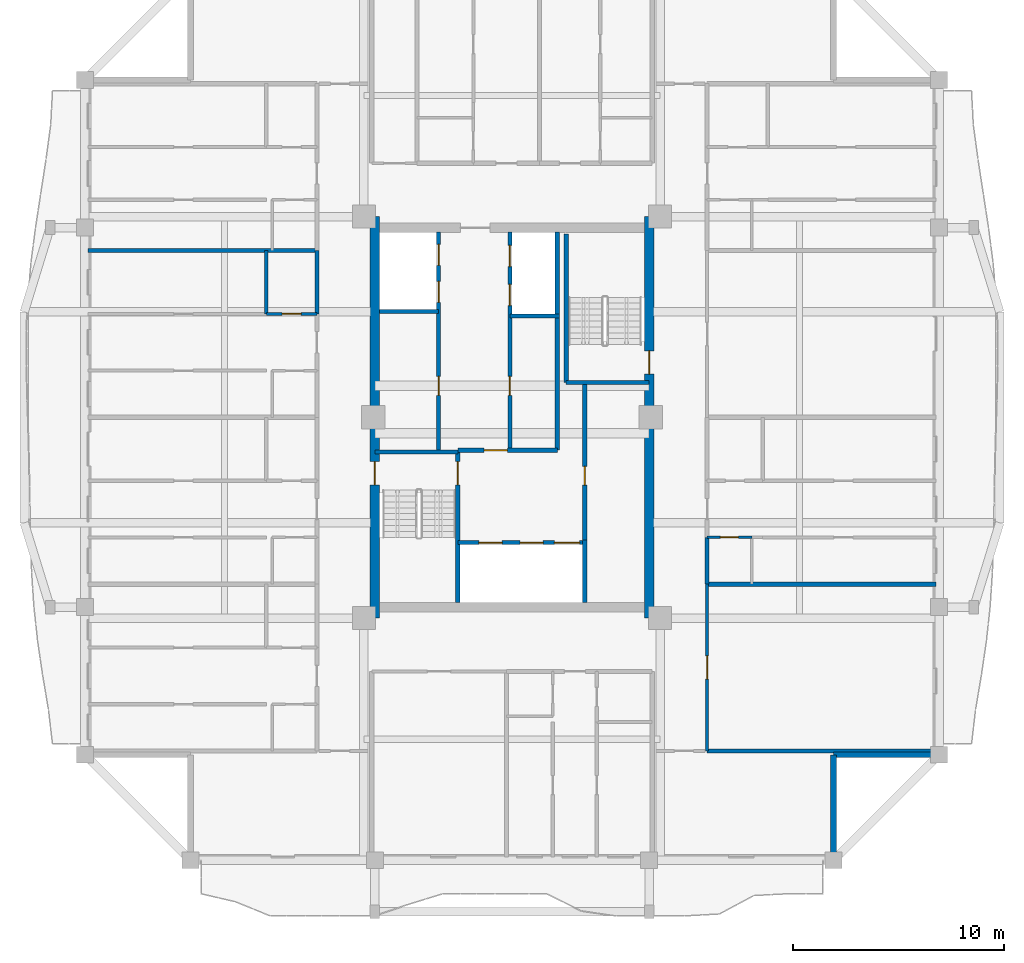
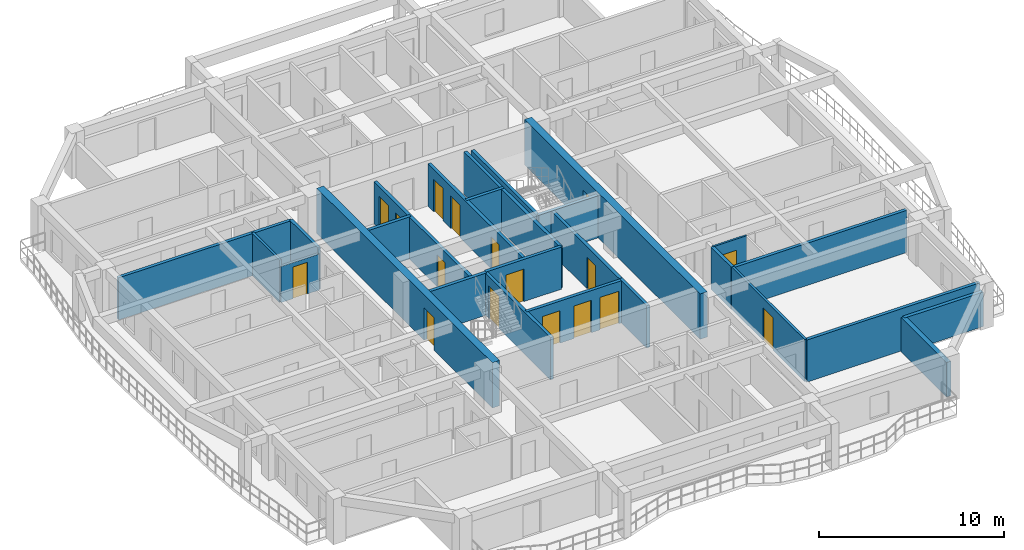
# One storey, part 4 of 13: 27 walls, 17 doors, 17 openings.
"""IFC4 building model written with IfcOpenShell, lengths in metres."""

from ifc_helpers import new_model, si_unit, direction, frame, frame_2d, origin, place, context, subcontext, project, spatial, rectangle, extrude, source, transform, mapped, material, layer, layer_set, type_object, element, fill, save


model = new_model("IFC4")

# Units and contexts
model_context = context("Model", 3, precision=1e-05, world=origin(), true_north=direction((0.0, 1.0)))
body_context = subcontext(model_context, "Body", "Model", "MODEL_VIEW")
ifc_project = project(units=[si_unit("LENGTHUNIT", "METRE"), si_unit("AREAUNIT", "SQUARE_METRE"), si_unit("VOLUMEUNIT", "CUBIC_METRE"), si_unit("PLANEANGLEUNIT", "RADIAN"), si_unit("MASSUNIT", "GRAM", prefix="KILO")], contexts=[model_context])

# Site, building, storey
site_placement = place(None, origin())
site = spatial("IfcSite", under=ifc_project, at=site_placement, CompositionType="ELEMENT")
building_placement = place(site_placement, origin())
building = spatial("IfcBuilding", under=site, at=building_placement, Name="Saelheon Loggia Tower", CompositionType="ELEMENT")
storey_placement = place(building_placement, frame((0.0, 0.0, 189.699951171875)))
storey = spatial("IfcBuildingStorey", under=building, at=storey_placement, Name="L59", CompositionType="ELEMENT", Elevation=189.699951171875)

# Wall, opening, door
ifc_material_1 = material(Name="Concrete C45/55", Category="concrete")
ifc_layer_1 = layer(ifc_material_1, 0.449951171875)
ifc_layer_set_1 = layer_set([ifc_layer_1], Name="Concrete C45/55")
wall_type_1 = type_object("IfcWallType", Name="Wall_CoreShear_450", PredefinedType="SHEAR", material=ifc_layer_set_1)
wall_1_placement = place(storey_placement, frame((31.5, 17.47998046875, 0.0), z_axis=(0.0, 0.0, 1.0), x_axis=(0.0, 1.0, 0.0)))
wall_1 = element("IfcWall", 1, at=wall_1_placement, inside=storey, type_object=wall_type_1, Name="L59 Core Shear Wall West", PredefinedType="SHEAR", context=body_context, shape_type="SweptSolid", body=[
    extrude(rectangle(XDim=19.0400390625, YDim=0.449951171875, at=frame_2d((9.52001953125, 0.0))), origin(), (0.0, 0.0, 1.0), 3.0),
])
opening_1_placement = place(wall_1_placement, frame((6.320068359375, 0.0, 0.0)))
opening_1 = element("IfcOpeningElement", 2, at=opening_1_placement, cuts=wall_1, Name="Opening D-FD2", PredefinedType="OPENING", context=body_context, shape_type="SweptSolid", body=[
    extrude(rectangle(XDim=1.10009765625, YDim=2.14990234375, at=frame_2d((0.550048828125, 1.074951171875))), frame((0.0, 0.237060546875, 0.0), z_axis=(0.0, -1.0, 0.0), x_axis=(1.0, 0.0, 0.0)), (0.0, 0.0, 1.0), 0.473876953125),
])
ifc_material_2 = material(Name="Galvanised Steel Fire Door", Category="steel")
door_type_1 = type_object("IfcDoorType", Name="Door_Fire_FD60_1100", OperationType="NOTDEFINED", PredefinedType="DOOR", material=ifc_material_2)
shared_shape_1 = source(origin(), body_context, "Body", "SweptSolid", [
    extrude(rectangle(XDim=1.10009765625, YDim=2.14990234375, at=frame_2d((0.550048828125, 1.074951171875))), frame((0.0, 0.02490234375, 0.0), z_axis=(0.0, -1.0, 0.0), x_axis=(1.0, 0.0, 0.0)), (0.0, 0.0, 1.0), 0.050048828125),
])
door_1_placement = place(opening_1_placement, origin())
door_1 = element("IfcDoor", 3, at=door_1_placement, inside=storey, type_object=door_type_1, Name="L59 Stair ST1 Corridor Door", OperationType="SINGLE_SWING_LEFT", OverallHeight=2.14990234375, OverallWidth=1.10009765625, PredefinedType="DOOR", context=body_context, shape_type="MappedRepresentation", body=[
    mapped(shared_shape_1, transform((0.0, 0.0, 0.0), scale=1.0)),
])
fill(opening_1, door_1)

wall_2_placement = place(storey_placement, frame((44.5, 17.47998046875, 0.0), z_axis=(0.0, 0.0, 1.0), x_axis=(0.0, 1.0, 0.0)))
wall_2 = element("IfcWall", 4, at=wall_2_placement, inside=storey, type_object=wall_type_1, Name="L59 Core Shear Wall East", PredefinedType="SHEAR", context=body_context, shape_type="SweptSolid", body=[
    extrude(rectangle(XDim=19.0400390625, YDim=0.449951171875, at=frame_2d((9.52001953125, 0.0))), origin(), (0.0, 0.0, 1.0), 3.0),
])
opening_2_placement = place(wall_2_placement, frame((12.670166015625, 0.0, 0.0), z_axis=(0.0, 0.0, 1.0), x_axis=(-1.0, 0.0, 0.0)))
opening_2 = element("IfcOpeningElement", 5, at=opening_2_placement, cuts=wall_2, Name="Opening D-FD2", PredefinedType="OPENING", context=body_context, shape_type="SweptSolid", body=[
    extrude(rectangle(XDim=1.10009765625, YDim=2.14990234375, at=frame_2d((0.550048828125, 1.074951171875))), frame((0.0, 0.237060546875, 0.0), z_axis=(0.0, -1.0, 0.0), x_axis=(1.0, 0.0, 0.0)), (0.0, 0.0, 1.0), 0.473876953125),
])
door_2_placement = place(opening_2_placement, origin())
door_2 = element("IfcDoor", 6, at=door_2_placement, inside=storey, type_object=door_type_1, Name="L59 Stair ST2 Corridor Door", OperationType="SINGLE_SWING_RIGHT", OverallHeight=2.14990234375, OverallWidth=1.10009765625, PredefinedType="DOOR", context=body_context, shape_type="MappedRepresentation", body=[
    mapped(shared_shape_1, transform((0.0, 0.0, 0.0), scale=1.0)),
])
fill(opening_2, door_2)

# Walls
ifc_material_3 = material(Name="Architectural Precast Concrete C40/50", Category="concrete")
ifc_layer_2 = layer(ifc_material_3, 0.280029296875)
ifc_layer_set_2 = layer_set([ifc_layer_2], Name="Architectural Precast Concrete C40/50")
wall_type_2 = type_object("IfcWallType", Name="Wall_Ext_Loggia_280", PredefinedType="SOLIDWALL", material=ifc_layer_set_2)
for number, where, z_axis, x_axis, name in (
    (7, (53.25, 6.080078125, 0.0), (0.0, 0.0, 1.0), (0.0, 1.0, 0.0), "L59 Corner Notch Precast Wall SE1"),
    (8, (53.25, 11.0, 0.0), (0.0, 0.0, 1.0), (1.0, 0.0, 0.0), "L59 Corner Notch Precast Wall SE2"),
):
    element("IfcWall", number, at=place(storey_placement, frame(where, z_axis=z_axis, x_axis=x_axis)), inside=storey, type_object=wall_type_2, Name=name, PredefinedType="SOLIDWALL", context=body_context, shape_type="SweptSolid", body=[
        extrude(rectangle(XDim=4.919921875, YDim=0.280029296875, at=frame_2d((2.4599609375, 0.0))), origin(), (0.0, 0.0, 1.0), 2.280029296875),
    ])
ifc_material_4 = material(Name="Lightweight Autoclaved Aerated Concrete Block and Acoustic Gypsum", Category="concrete")
ifc_layer_3 = layer(ifc_material_4, 0.14990234375)
ifc_layer_set_3 = layer_set([ifc_layer_3], Name="Lightweight Autoclaved Aerated Concrete Block and Acoustic Gypsum")
wall_type_3 = type_object("IfcWallType", Name="Wall_Part_150", PredefinedType="PARTITIONING", material=ifc_layer_set_3)
wall_3_placement = place(storey_placement, frame((26.35009765625, 31.904296875, 0.0), z_axis=(0.0, 0.0, 1.0), x_axis=(0.0, 1.0, 0.0)))
element("IfcWall", 9, at=wall_3_placement, inside=storey, type_object=wall_type_3, Name="L59 W Partition V27", PredefinedType="PARTITIONING", context=body_context, shape_type="SweptSolid", body=[
    extrude(rectangle(XDim=3.005615234375, YDim=0.14990234375, at=frame_2d((1.5029296875, 0.0))), origin(), (0.0, 0.0, 1.0), 2.7900390625),
])

# Wall, opening, door
wall_4_placement = place(storey_placement, frame((28.75, 31.904296875, 0.0), z_axis=(0.0, 0.0, 1.0), x_axis=(-1.0, 0.0, 0.0)))
wall_4 = element("IfcWall", 10, at=wall_4_placement, inside=storey, type_object=wall_type_3, Name="L59 W Partition U30", PredefinedType="PARTITIONING", context=body_context, shape_type="SweptSolid", body=[
    extrude(rectangle(XDim=2.39990234375, YDim=0.14990234375, at=frame_2d((1.199951171875, 0.0))), origin(), (0.0, 0.0, 1.0), 2.39013671875),
])
opening_3_placement = place(wall_4_placement, frame((0.75, 0.0, 0.0)))
opening_3 = element("IfcOpeningElement", 11, at=opening_3_placement, cuts=wall_4, Name="Opening D-IN2", PredefinedType="OPENING", context=body_context, shape_type="SweptSolid", body=[
    extrude(rectangle(XDim=0.89990234375, YDim=2.10009765625, at=frame_2d((0.449951171875, 1.050048828125))), frame((0.0, 0.0869140625, 0.0), z_axis=(0.0, -1.0, 0.0), x_axis=(1.0, 0.0, 0.0)), (0.0, 0.0, 1.0), 0.173828125),
])
ifc_material_5 = material(Name="Engineered Oak Flush Door", Category="timber")
door_type_2 = type_object("IfcDoorType", Name="Door_Int_900", OperationType="NOTDEFINED", PredefinedType="DOOR", material=ifc_material_5)
shared_shape_2 = source(origin(), body_context, "Body", "SweptSolid", [
    extrude(rectangle(XDim=0.89990234375, YDim=2.10009765625, at=frame_2d((0.449951171875, 1.050048828125))), frame((0.0, 0.02490234375, 0.0), z_axis=(0.0, -1.0, 0.0), x_axis=(1.0, 0.0, 0.0)), (0.0, 0.0, 1.0), 0.050048828125),
])
door_3_placement = place(opening_3_placement, origin())
door_3 = element("IfcDoor", 12, at=door_3_placement, inside=storey, type_object=door_type_2, Name="Unit U06 Dressing Closet Door", OperationType="SINGLE_SWING_LEFT", OverallHeight=2.10009765625, OverallWidth=0.89990234375, PredefinedType="DOOR", context=body_context, shape_type="MappedRepresentation", body=[
    mapped(shared_shape_2, transform((0.0, 0.0, 0.0), scale=1.0)),
])
fill(opening_3, door_3)

wall_5_placement = place(storey_placement, frame((47.25, 11.179931640625, 0.0), z_axis=(0.0, 0.0, 1.0), x_axis=(0.0, 1.0, 0.0)))
wall_5 = element("IfcWall", 13, at=wall_5_placement, inside=storey, type_object=wall_type_3, Name="L59 E Partition V03", PredefinedType="PARTITIONING", context=body_context, shape_type="SweptSolid", body=[
    extrude(rectangle(XDim=7.91015625, YDim=0.14990234375, at=frame_2d((3.955078125, 0.0))), origin(), (0.0, 0.0, 1.0), 2.7900390625),
])
opening_4_placement = place(wall_5_placement, frame((3.405029296875, 0.0, 0.0)))
opening_4 = element("IfcOpeningElement", 14, at=opening_4_placement, cuts=wall_5, Name="Opening D-FD2", PredefinedType="OPENING", context=body_context, shape_type="SweptSolid", body=[
    extrude(rectangle(XDim=1.10009765625, YDim=2.14990234375, at=frame_2d((0.550048828125, 1.074951171875))), frame((0.0, 0.0869140625, 0.0), z_axis=(0.0, -1.0, 0.0), x_axis=(1.0, 0.0, 0.0)), (0.0, 0.0, 1.0), 0.173828125),
])
door_4_placement = place(opening_4_placement, origin())
door_4 = element("IfcDoor", 15, at=door_4_placement, inside=storey, type_object=door_type_1, Name="L59 Community Reading Library Door A", OperationType="SINGLE_SWING_RIGHT", OverallHeight=2.14990234375, OverallWidth=1.10009765625, PredefinedType="DOOR", context=body_context, shape_type="MappedRepresentation", body=[
    mapped(shared_shape_1, transform((0.0, 0.0, 0.0), scale=1.0)),
])
fill(opening_4, door_4)

# Walls
ifc_material_6 = material(Name="Double Acoustic Stud and Fireboard Partition", Category="gypsum")
ifc_layer_4 = layer(ifc_material_6, 0.199951171875)
ifc_layer_set_4 = layer_set([ifc_layer_4], Name="Double Acoustic Stud and Fireboard Partition")
wall_type_4 = type_object("IfcWallType", Name="Wall_Party_200", PredefinedType="PARTITIONING", material=ifc_layer_set_4)
wall_6_placement = place(storey_placement, frame((28.75, 31.904296875, 0.0), z_axis=(0.0, 0.0, 1.0), x_axis=(0.0, 1.0, 0.0)))
element("IfcWall", 16, at=wall_6_placement, inside=storey, type_object=wall_type_4, Name="L59 W Partition V25", PredefinedType="PARTITIONING", context=body_context, shape_type="SweptSolid", body=[
    extrude(rectangle(XDim=3.005615234375, YDim=0.199951171875, at=frame_2d((1.5029296875, 0.0))), origin(), (0.0, 0.0, 1.0), 2.7900390625),
])
for number, where, z_axis, x_axis, name in (
    (17, (28.75, 34.909912109375, 0.0), (0.0, 0.0, 1.0), (-1.0, 0.0, 0.0), "L59 W Partition U32"),
    (18, (47.25, 11.179931640625, 0.0), (0.0, 0.0, 1.0), (1.0, 0.0, 0.0), "L59 E Partition U01"),
    (19, (47.25, 19.090087890625, 0.0), (0.0, 0.0, 1.0), (1.0, 0.0, 0.0), "L59 E Partition U04"),
):
    element("IfcWall", number, at=place(storey_placement, frame(where, z_axis=z_axis, x_axis=x_axis)), inside=storey, type_object=wall_type_4, Name=name, PredefinedType="PARTITIONING", context=body_context, shape_type="SweptSolid", body=[
        extrude(rectangle(XDim=10.85009765625, YDim=0.199951171875, at=frame_2d((5.425048828125, 0.0))), origin(), (0.0, 0.0, 1.0), 2.7900390625),
    ])
wall_7_placement = place(storey_placement, frame((47.25, 19.090087890625, 0.0), z_axis=(0.0, 0.0, 1.0), x_axis=(0.0, 1.0, 0.0)))
element("IfcWall", 20, at=wall_7_placement, inside=storey, type_object=wall_type_4, Name="L59 E Partition V05", PredefinedType="PARTITIONING", context=body_context, shape_type="SweptSolid", body=[
    extrude(rectangle(XDim=2.214599609375, YDim=0.199951171875, at=frame_2d((1.107421875, 0.0))), origin(), (0.0, 0.0, 1.0), 2.7900390625),
])
ifc_material_7 = material(Name="Concrete C40/50", Category="concrete")
ifc_layer_5 = layer(ifc_material_7, 0.199951171875)
ifc_layer_set_5 = layer_set([ifc_layer_5], Name="Concrete C40/50")
wall_type_5 = type_object("IfcWallType", Name="Wall_Shaft_200", PredefinedType="PARTITIONING", material=ifc_layer_set_5)
wall_8_placement = place(storey_placement, frame((41.449951171875, 18.219970703125, 0.0), z_axis=(0.0, 0.0, 1.0), x_axis=(0.0, 1.0, 0.0)))
element("IfcWall", 21, at=wall_8_placement, inside=storey, type_object=wall_type_5, Name="CW-INT-L59-BOH-W0", PredefinedType="PARTITIONING", context=body_context, shape_type="SweptSolid", body=[
    extrude(rectangle(XDim=2.9599609375, YDim=0.199951171875, at=frame_2d((1.47998046875, 0.0))), origin(), (0.0, 0.0, 1.0), 2.7900390625),
])

# Wall, opening, door
wall_9_placement = place(storey_placement, frame((41.449951171875, 21.179931640625, 0.0), z_axis=(0.0, 0.0, 1.0), x_axis=(0.0, 1.0, 0.0)))
wall_9 = element("IfcWall", 22, at=wall_9_placement, inside=storey, type_object=wall_type_5, Name="CW-INT-L59-BOH-W1", PredefinedType="PARTITIONING", context=body_context, shape_type="SweptSolid", body=[
    extrude(rectangle(XDim=7.420166015625, YDim=0.199951171875, at=frame_2d((3.7099609375, 0.0))), origin(), (0.0, 0.0, 1.0), 2.7900390625),
])
opening_5_placement = place(wall_9_placement, frame((2.60009765625, 0.0, 0.0)))
opening_5 = element("IfcOpeningElement", 23, at=opening_5_placement, cuts=wall_9, Name="Opening D-RS1", PredefinedType="OPENING", context=body_context, shape_type="SweptSolid", body=[
    extrude(rectangle(XDim=0.89990234375, YDim=2.10009765625, at=frame_2d((0.449951171875, 1.050048828125))), frame((0.0, 0.112060546875, 0.0), z_axis=(0.0, -1.0, 0.0), x_axis=(1.0, 0.0, 0.0)), (0.0, 0.0, 1.0), 0.223876953125),
])
ifc_material_8 = material(Name="Galvanised Steel Riser Access Door", Category="steel")
door_type_3 = type_object("IfcDoorType", Name="Door_Riser_FD60", OperationType="NOTDEFINED", PredefinedType="DOOR", material=ifc_material_8)
door_5_placement = place(opening_5_placement, origin())
door_5 = element("IfcDoor", 24, at=door_5_placement, inside=storey, type_object=door_type_3, Name="L59 Core Service Store Door", OperationType="SINGLE_SWING_RIGHT", OverallHeight=2.10009765625, OverallWidth=0.89990234375, PredefinedType="DOOR", context=body_context, shape_type="MappedRepresentation", body=[
    mapped(shared_shape_2, transform((0.0, 0.0, 0.0), scale=1.0)),
])
fill(opening_5, door_5)

# Walls
wall_10_placement = place(storey_placement, frame((40.14990234375, 25.43994140625, 0.0), z_axis=(0.0, 0.0, 1.0), x_axis=(0.0, 1.0, 0.0)))
element("IfcWall", 25, at=wall_10_placement, inside=storey, type_object=wall_type_5, Name="L59 Core Service Passage West Wall", PredefinedType="PARTITIONING", context=body_context, shape_type="SweptSolid", body=[
    extrude(rectangle(XDim=6.360107421875, YDim=0.199951171875, at=frame_2d((3.18017578125, 0.0))), origin(), (0.0, 0.0, 1.0), 2.7900390625),
])
wall_11_placement = place(storey_placement, frame((40.14990234375, 31.800048828125, 0.0), z_axis=(0.0, 0.0, 1.0), x_axis=(0.0, 1.0, 0.0)))
element("IfcWall", 26, at=wall_11_placement, inside=storey, type_object=wall_type_5, Name="L59 East High-Rise Hoistway East Wall", PredefinedType="PARTITIONING", context=body_context, shape_type="SweptSolid", body=[
    extrude(rectangle(XDim=3.97998046875, YDim=0.199951171875, at=frame_2d((1.989990234375, 0.0))), origin(), (0.0, 0.0, 1.0), 2.7900390625),
])

# Wall, openings, doors
wall_12_placement = place(storey_placement, frame((35.429931640625, 21.06005859375, 0.0), z_axis=(0.0, 0.0, 1.0), x_axis=(1.0, 0.0, 0.0)))
wall_12 = element("IfcWall", 27, at=wall_12_placement, inside=storey, type_object=wall_type_5, Name="L59 Firefighting Lift Shaft Front Wall", PredefinedType="PARTITIONING", context=body_context, shape_type="SweptSolid", body=[
    extrude(rectangle(XDim=6.02001953125, YDim=0.199951171875, at=frame_2d((3.010009765625, 0.0))), origin(), (0.0, 0.0, 1.0), 2.7900390625),
])
opening_6_placement = place(wall_12_placement, frame((1.0, 0.0, 0.0)))
opening_6 = element("IfcOpeningElement", 28, at=opening_6_placement, cuts=wall_12, Name="Opening LD2", PredefinedType="OPENING", context=body_context, shape_type="SweptSolid", body=[
    extrude(rectangle(XDim=1.10009765625, YDim=2.14990234375, at=frame_2d((0.550048828125, 1.074951171875))), frame((0.0, 0.112060546875, 0.0), z_axis=(0.0, -1.0, 0.0), x_axis=(1.0, 0.0, 0.0)), (0.0, 0.0, 1.0), 0.223876953125),
])
opening_7_placement = place(wall_12_placement, frame((2.949951171875, 0.0, 0.0)))
opening_7 = element("IfcOpeningElement", 29, at=opening_7_placement, cuts=wall_12, Name="Opening LD2", PredefinedType="OPENING", context=body_context, shape_type="SweptSolid", body=[
    extrude(rectangle(XDim=1.10009765625, YDim=2.14990234375, at=frame_2d((0.550048828125, 1.074951171875))), frame((0.0, 0.112060546875, 0.0), z_axis=(0.0, -1.0, 0.0), x_axis=(1.0, 0.0, 0.0)), (0.0, 0.0, 1.0), 0.223876953125),
])
opening_8_placement = place(wall_12_placement, frame((4.580078125, 0.0, 0.0)))
opening_8 = element("IfcOpeningElement", 30, at=opening_8_placement, cuts=wall_12, Name="Opening LD3", PredefinedType="OPENING", context=body_context, shape_type="SweptSolid", body=[
    extrude(rectangle(XDim=1.199951171875, YDim=2.14990234375, at=frame_2d((0.60009765625, 1.074951171875))), frame((0.0, 0.112060546875, 0.0), z_axis=(0.0, -1.0, 0.0), x_axis=(1.0, 0.0, 0.0)), (0.0, 0.0, 1.0), 0.223876953125),
])
ifc_material_9 = material(Name="Firefighting Stainless Steel 316 Landing Door", Category="steel")
door_type_4 = type_object("IfcDoorType", Name="Door_Lift_LD2", OperationType="DOUBLE_DOOR_SLIDING", PredefinedType="DOOR", material=ifc_material_9)
door_6_placement = place(opening_6_placement, origin())
door_6 = element("IfcDoor", 31, at=door_6_placement, inside=storey, type_object=door_type_4, Name="L59 FF1 Landing Door", OperationType="DOUBLE_DOOR_SLIDING", OverallHeight=2.14990234375, OverallWidth=1.10009765625, PredefinedType="DOOR", context=body_context, shape_type="MappedRepresentation", body=[
    mapped(shared_shape_1, transform((0.0, 0.0, 0.0), scale=1.0)),
])
fill(opening_6, door_6)
door_7_placement = place(opening_7_placement, origin())
door_7 = element("IfcDoor", 32, at=door_7_placement, inside=storey, type_object=door_type_4, Name="L59 FF2 Landing Door", OperationType="DOUBLE_DOOR_SLIDING", OverallHeight=2.14990234375, OverallWidth=1.10009765625, PredefinedType="DOOR", context=body_context, shape_type="MappedRepresentation", body=[
    mapped(shared_shape_1, transform((0.0, 0.0, 0.0), scale=1.0)),
])
fill(opening_7, door_7)
ifc_material_10 = material(Name="Stretcher Lift Stainless Steel 304 Landing Door", Category="steel")
door_type_5 = type_object("IfcDoorType", Name="Door_Lift_LD3", OperationType="DOUBLE_DOOR_SLIDING", PredefinedType="DOOR", material=ifc_material_10)
shared_shape_3 = source(origin(), body_context, "Body", "SweptSolid", [
    extrude(rectangle(XDim=1.199951171875, YDim=2.14990234375, at=frame_2d((0.60009765625, 1.074951171875))), frame((0.0, 0.02490234375, 0.0), z_axis=(0.0, -1.0, 0.0), x_axis=(1.0, 0.0, 0.0)), (0.0, 0.0, 1.0), 0.050048828125),
])
door_8_placement = place(opening_8_placement, origin())
door_8 = element("IfcDoor", 33, at=door_8_placement, inside=storey, type_object=door_type_5, Name="L59 SV1 Landing Door", OperationType="DOUBLE_DOOR_SLIDING", OverallHeight=2.14990234375, OverallWidth=1.199951171875, PredefinedType="DOOR", context=body_context, shape_type="MappedRepresentation", body=[
    mapped(shared_shape_3, transform((0.0, 0.0, 0.0), scale=1.0)),
])
fill(opening_8, door_8)

# Wall, opening, door
wall_13_placement = place(storey_placement, frame((35.429931640625, 25.43994140625, 0.0), z_axis=(0.0, 0.0, 1.0), x_axis=(1.0, 0.0, 0.0)))
wall_13 = element("IfcWall", 34, at=wall_13_placement, inside=storey, type_object=wall_type_5, Name="L59 Firefighting Lobby Compartment Wall", PredefinedType="PARTITIONING", context=body_context, shape_type="SweptSolid", body=[
    extrude(rectangle(XDim=4.719970703125, YDim=0.199951171875, at=frame_2d((2.35986328125, 0.0))), origin(), (0.0, 0.0, 1.0), 2.7900390625),
])
opening_9_placement = place(wall_13_placement, frame((1.25, 0.0, 0.0)))
opening_9 = element("IfcOpeningElement", 35, at=opening_9_placement, cuts=wall_13, Name="Opening D-FD2", PredefinedType="OPENING", context=body_context, shape_type="SweptSolid", body=[
    extrude(rectangle(XDim=1.10009765625, YDim=2.14990234375, at=frame_2d((0.550048828125, 1.074951171875))), frame((0.0, 0.112060546875, 0.0), z_axis=(0.0, -1.0, 0.0), x_axis=(1.0, 0.0, 0.0)), (0.0, 0.0, 1.0), 0.223876953125),
])
door_9_placement = place(opening_9_placement, origin())
door_9 = element("IfcDoor", 36, at=door_9_placement, inside=storey, type_object=door_type_1, Name="L59 Firefighting Lobby Door", OperationType="SINGLE_SWING_LEFT", OverallHeight=2.14990234375, OverallWidth=1.10009765625, PredefinedType="DOOR", context=body_context, shape_type="MappedRepresentation", body=[
    mapped(shared_shape_1, transform((0.0, 0.0, 0.0), scale=1.0)),
])
fill(opening_9, door_9)

# Wall, openings, doors
wall_14_placement = place(storey_placement, frame((34.52001953125, 25.43994140625, 0.0), z_axis=(0.0, 0.0, 1.0), x_axis=(0.0, 1.0, 0.0)))
wall_14 = element("IfcWall", 37, at=wall_14_placement, inside=storey, type_object=wall_type_5, Name="L59 West Passenger Lift Bank Wall", PredefinedType="PARTITIONING", context=body_context, shape_type="SweptSolid", body=[
    extrude(rectangle(XDim=10.340087890625, YDim=0.199951171875, at=frame_2d((5.169921875, 0.0))), origin(), (0.0, 0.0, 1.0), 2.7900390625),
])
opening_10_placement = place(wall_14_placement, frame((2.60009765625, 0.0, 0.0)))
opening_10 = element("IfcOpeningElement", 38, at=opening_10_placement, cuts=wall_14, Name="Opening D-RS1", PredefinedType="OPENING", context=body_context, shape_type="SweptSolid", body=[
    extrude(rectangle(XDim=0.89990234375, YDim=2.10009765625, at=frame_2d((0.449951171875, 1.050048828125))), frame((0.0, 0.112060546875, 0.0), z_axis=(0.0, -1.0, 0.0), x_axis=(1.0, 0.0, 0.0)), (0.0, 0.0, 1.0), 0.223876953125),
])
opening_11_placement = place(wall_14_placement, frame((7.010009765625, 0.0, 0.0)))
opening_11 = element("IfcOpeningElement", 39, at=opening_11_placement, cuts=wall_14, Name="Opening LD1", PredefinedType="OPENING", context=body_context, shape_type="SweptSolid", body=[
    extrude(rectangle(XDim=1.0, YDim=2.14990234375, at=frame_2d((0.5, 1.074951171875))), frame((0.0, 0.112060546875, 0.0), z_axis=(0.0, -1.0, 0.0), x_axis=(1.0, 0.0, 0.0)), (0.0, 0.0, 1.0), 0.223876953125),
])
opening_12_placement = place(wall_14_placement, frame((8.760009765625, 0.0, 0.0)))
opening_12 = element("IfcOpeningElement", 40, at=opening_12_placement, cuts=wall_14, Name="Opening LD1", PredefinedType="OPENING", context=body_context, shape_type="SweptSolid", body=[
    extrude(rectangle(XDim=1.0, YDim=2.14990234375, at=frame_2d((0.5, 1.074951171875))), frame((0.0, 0.112060546875, 0.0), z_axis=(0.0, -1.0, 0.0), x_axis=(1.0, 0.0, 0.0)), (0.0, 0.0, 1.0), 0.223876953125),
])
door_10_placement = place(opening_10_placement, origin())
door_10 = element("IfcDoor", 41, at=door_10_placement, inside=storey, type_object=door_type_3, Name="L59 Core Parcel Room Door", OperationType="SINGLE_SWING_LEFT", OverallHeight=2.10009765625, OverallWidth=0.89990234375, PredefinedType="DOOR", context=body_context, shape_type="MappedRepresentation", body=[
    mapped(shared_shape_2, transform((0.0, 0.0, 0.0), scale=1.0)),
])
fill(opening_10, door_10)
ifc_material_11 = material(Name="Brushed Stainless Steel 304 Landing Door", Category="steel")
door_type_6 = type_object("IfcDoorType", Name="Door_Lift_LD1", OperationType="DOUBLE_DOOR_SLIDING", PredefinedType="DOOR", material=ifc_material_11)
shared_shape_4 = source(origin(), body_context, "Body", "SweptSolid", [
    extrude(rectangle(XDim=1.0, YDim=2.14990234375, at=frame_2d((0.5, 1.074951171875))), frame((0.0, 0.02490234375, 0.0), z_axis=(0.0, -1.0, 0.0), x_axis=(1.0, 0.0, 0.0)), (0.0, 0.0, 1.0), 0.050048828125),
])
door_11_placement = place(opening_11_placement, origin())
door_11 = element("IfcDoor", 42, at=door_11_placement, inside=storey, type_object=door_type_6, Name="L59 PH1 Landing Door", OperationType="DOUBLE_DOOR_SLIDING", OverallHeight=2.14990234375, OverallWidth=1.0, PredefinedType="DOOR", context=body_context, shape_type="MappedRepresentation", body=[
    mapped(shared_shape_4, transform((0.0, 0.0, 0.0), scale=1.0)),
])
fill(opening_11, door_11)
door_12_placement = place(opening_12_placement, origin())
door_12 = element("IfcDoor", 43, at=door_12_placement, inside=storey, type_object=door_type_6, Name="L59 PH2 Landing Door", OperationType="DOUBLE_DOOR_SLIDING", OverallHeight=2.14990234375, OverallWidth=1.0, PredefinedType="DOOR", context=body_context, shape_type="MappedRepresentation", body=[
    mapped(shared_shape_4, transform((0.0, 0.0, 0.0), scale=1.0)),
])
fill(opening_12, door_12)

# Wall
wall_15_placement = place(storey_placement, frame((31.719970703125, 32.02001953125, 0.0), z_axis=(0.0, 0.0, 1.0), x_axis=(1.0, 0.0, 0.0)))
element("IfcWall", 44, at=wall_15_placement, inside=storey, type_object=wall_type_5, Name="L59 West High-Rise Shaft Divider", PredefinedType="PARTITIONING", context=body_context, shape_type="SweptSolid", body=[
    extrude(rectangle(XDim=2.800048828125, YDim=0.199951171875, at=frame_2d((1.39990234375, 0.0))), origin(), (0.0, 0.0, 1.0), 2.7900390625),
])

# Wall, openings, doors
wall_16_placement = place(storey_placement, frame((37.89990234375, 25.43994140625, 0.0), z_axis=(0.0, 0.0, 1.0), x_axis=(0.0, 1.0, 0.0)))
wall_16 = element("IfcWall", 45, at=wall_16_placement, inside=storey, type_object=wall_type_5, Name="L59 East Passenger Lift Bank Wall", PredefinedType="PARTITIONING", context=body_context, shape_type="SweptSolid", body=[
    extrude(rectangle(XDim=10.340087890625, YDim=0.199951171875, at=frame_2d((5.169921875, 0.0))), origin(), (0.0, 0.0, 1.0), 2.7900390625),
])
opening_13_placement = place(wall_16_placement, frame((2.60009765625, 0.0, 0.0)))
opening_13 = element("IfcOpeningElement", 46, at=opening_13_placement, cuts=wall_16, Name="Opening D-RS1", PredefinedType="OPENING", context=body_context, shape_type="SweptSolid", body=[
    extrude(rectangle(XDim=0.89990234375, YDim=2.10009765625, at=frame_2d((0.449951171875, 1.050048828125))), frame((0.0, 0.112060546875, 0.0), z_axis=(0.0, -1.0, 0.0), x_axis=(1.0, 0.0, 0.0)), (0.0, 0.0, 1.0), 0.223876953125),
])
opening_14_placement = place(wall_16_placement, frame((6.860107421875, 0.0, 0.0)))
opening_14 = element("IfcOpeningElement", 47, at=opening_14_placement, cuts=wall_16, Name="Opening LD1", PredefinedType="OPENING", context=body_context, shape_type="SweptSolid", body=[
    extrude(rectangle(XDim=1.0, YDim=2.14990234375, at=frame_2d((0.5, 1.074951171875))), frame((0.0, 0.112060546875, 0.0), z_axis=(0.0, -1.0, 0.0), x_axis=(1.0, 0.0, 0.0)), (0.0, 0.0, 1.0), 0.223876953125),
])
opening_15_placement = place(wall_16_placement, frame((8.7099609375, 0.0, 0.0)))
opening_15 = element("IfcOpeningElement", 48, at=opening_15_placement, cuts=wall_16, Name="Opening LD1", PredefinedType="OPENING", context=body_context, shape_type="SweptSolid", body=[
    extrude(rectangle(XDim=1.0, YDim=2.14990234375, at=frame_2d((0.5, 1.074951171875))), frame((0.0, 0.112060546875, 0.0), z_axis=(0.0, -1.0, 0.0), x_axis=(1.0, 0.0, 0.0)), (0.0, 0.0, 1.0), 0.223876953125),
])
door_13_placement = place(opening_13_placement, origin())
door_13 = element("IfcDoor", 49, at=door_13_placement, inside=storey, type_object=door_type_3, Name="L59 Upper Storage Room Door", OperationType="SINGLE_SWING_RIGHT", OverallHeight=2.10009765625, OverallWidth=0.89990234375, PredefinedType="DOOR", context=body_context, shape_type="MappedRepresentation", body=[
    mapped(shared_shape_2, transform((0.0, 0.0, 0.0), scale=1.0)),
])
fill(opening_13, door_13)
door_14_placement = place(opening_14_placement, origin())
door_14 = element("IfcDoor", 50, at=door_14_placement, inside=storey, type_object=door_type_6, Name="L59 PH3 Landing Door", OperationType="DOUBLE_DOOR_SLIDING", OverallHeight=2.14990234375, OverallWidth=1.0, PredefinedType="DOOR", context=body_context, shape_type="MappedRepresentation", body=[
    mapped(shared_shape_4, transform((0.0, 0.0, 0.0), scale=1.0)),
])
fill(opening_14, door_14)
door_15_placement = place(opening_15_placement, origin())
door_15 = element("IfcDoor", 51, at=door_15_placement, inside=storey, type_object=door_type_6, Name="L59 PH4 Landing Door", OperationType="DOUBLE_DOOR_SLIDING", OverallHeight=2.14990234375, OverallWidth=1.0, PredefinedType="DOOR", context=body_context, shape_type="MappedRepresentation", body=[
    mapped(shared_shape_4, transform((0.0, 0.0, 0.0), scale=1.0)),
])
fill(opening_15, door_15)

# Wall
wall_17_placement = place(storey_placement, frame((37.89990234375, 31.800048828125, 0.0), z_axis=(0.0, 0.0, 1.0), x_axis=(1.0, 0.0, 0.0)))
element("IfcWall", 52, at=wall_17_placement, inside=storey, type_object=wall_type_5, Name="L59 East High-Rise Shaft Divider", PredefinedType="PARTITIONING", context=body_context, shape_type="SweptSolid", body=[
    extrude(rectangle(XDim=2.35009765625, YDim=0.199951171875, at=frame_2d((1.175048828125, 0.0))), origin(), (0.0, 0.0, 1.0), 2.7900390625),
])

# Wall, opening, door
ifc_layer_6 = layer(ifc_material_1, 0.199951171875)
ifc_layer_set_6 = layer_set([ifc_layer_6], Name="Concrete C45/55")
wall_type_6 = type_object("IfcWallType", Name="Wall_StairShaft_RC200", PredefinedType="SOLIDWALL", material=ifc_layer_set_6)
wall_18_placement = place(storey_placement, frame((35.429931640625, 18.219970703125, 0.0), z_axis=(0.0, 0.0, 1.0), x_axis=(0.0, 1.0, 0.0)))
wall_18 = element("IfcWall", 53, at=wall_18_placement, inside=storey, type_object=wall_type_6, Name="L59 Stair ST1 Shaft Wall", PredefinedType="SOLIDWALL", context=body_context, shape_type="SweptSolid", body=[
    extrude(rectangle(XDim=7.219970703125, YDim=0.199951171875, at=frame_2d((3.60986328125, 0.0))), origin(), (0.0, 0.0, 1.0), 2.7900390625),
])
opening_16_placement = place(wall_18_placement, frame((6.68017578125, 0.0, 0.0), z_axis=(0.0, 0.0, 1.0), x_axis=(-1.0, 0.0, 0.0)))
opening_16 = element("IfcOpeningElement", 54, at=opening_16_placement, cuts=wall_18, Name="Opening D-FD2", PredefinedType="OPENING", context=body_context, shape_type="SweptSolid", body=[
    extrude(rectangle(XDim=1.10009765625, YDim=2.14990234375, at=frame_2d((0.550048828125, 1.074951171875))), frame((0.0, 0.112060546875, 0.0), z_axis=(0.0, -1.0, 0.0), x_axis=(1.0, 0.0, 0.0)), (0.0, 0.0, 1.0), 0.223876953125),
])
door_16_placement = place(opening_16_placement, origin())
door_16 = element("IfcDoor", 55, at=door_16_placement, inside=storey, type_object=door_type_1, Name="L59 Stair ST1 Lobby Door", OperationType="SINGLE_SWING_RIGHT", OverallHeight=2.14990234375, OverallWidth=1.10009765625, PredefinedType="DOOR", context=body_context, shape_type="MappedRepresentation", body=[
    mapped(shared_shape_1, transform((0.0, 0.0, 0.0), scale=1.0)),
])
fill(opening_16, door_16)

# Walls
wall_19_placement = place(storey_placement, frame((31.5, 25.35009765625, 0.0), z_axis=(0.0, 0.0, 1.0), x_axis=(1.0, 0.0, 0.0)))
element("IfcWall", 56, at=wall_19_placement, inside=storey, type_object=wall_type_6, Name="L59 Stair ST1 North Wall", PredefinedType="SOLIDWALL", context=body_context, shape_type="SweptSolid", body=[
    extrude(rectangle(XDim=3.929931640625, YDim=0.199951171875, at=frame_2d((1.96484375, 0.0))), origin(), (0.0, 0.0, 1.0), 2.7900390625),
])
wall_20_placement = place(storey_placement, frame((40.570068359375, 28.64990234375, 0.0), z_axis=(0.0, 0.0, 1.0), x_axis=(0.0, 1.0, 0.0)))
element("IfcWall", 57, at=wall_20_placement, inside=storey, type_object=wall_type_6, Name="L59 Stair ST2 Shaft Wall", PredefinedType="SOLIDWALL", context=body_context, shape_type="SweptSolid", body=[
    extrude(rectangle(XDim=7.050048828125, YDim=0.199951171875, at=frame_2d((3.52490234375, 0.0))), origin(), (0.0, 0.0, 1.0), 2.7900390625),
])
wall_21_placement = place(storey_placement, frame((40.570068359375, 28.64990234375, 0.0), z_axis=(0.0, 0.0, 1.0), x_axis=(1.0, 0.0, 0.0)))
element("IfcWall", 58, at=wall_21_placement, inside=storey, type_object=wall_type_6, Name="L59 Stair ST2 South Wall", PredefinedType="SOLIDWALL", context=body_context, shape_type="SweptSolid", body=[
    extrude(rectangle(XDim=3.929931640625, YDim=0.199951171875, at=frame_2d((1.96484375, 0.0))), origin(), (0.0, 0.0, 1.0), 2.7900390625),
])

# Wall, opening, door
ifc_material_12 = material(Name="Moisture-Resistant Cement Board Partition", Category="gypsum")
ifc_layer_7 = layer(ifc_material_12, 0.1201171875)
ifc_layer_set_7 = layer_set([ifc_layer_7], Name="Moisture-Resistant Cement Board Partition")
wall_type_7 = type_object("IfcWallType", Name="Wall_WetPart_120", PredefinedType="PARTITIONING", material=ifc_layer_set_7)
wall_22_placement = place(storey_placement, frame((47.25, 21.3046875, 0.0), z_axis=(0.0, 0.0, 1.0), x_axis=(1.0, 0.0, 0.0)))
wall_22 = element("IfcWall", 59, at=wall_22_placement, inside=storey, type_object=wall_type_7, Name="L59 E Partition U10", PredefinedType="PARTITIONING", context=body_context, shape_type="SweptSolid", body=[
    extrude(rectangle(XDim=2.1201171875, YDim=0.1201171875, at=frame_2d((1.06005859375, 0.0))), origin(), (0.0, 0.0, 1.0), 2.7900390625),
])
opening_17_placement = place(wall_22_placement, frame((0.635009765625, 0.0, 0.0)))
opening_17 = element("IfcOpeningElement", 60, at=opening_17_placement, cuts=wall_22, Name="Opening D-BT1", PredefinedType="OPENING", context=body_context, shape_type="SweptSolid", body=[
    extrude(rectangle(XDim=0.85009765625, YDim=2.050048828125, at=frame_2d((0.425048828125, 1.02490234375))), frame((0.0, 0.072021484375, 0.0), z_axis=(0.0, -1.0, 0.0), x_axis=(1.0, 0.0, 0.0)), (0.0, 0.0, 1.0), 0.14404296875),
])
ifc_material_13 = material(Name="Moisture-Resistant Laminate Timber Door", Category="wood")
door_type_7 = type_object("IfcDoorType", Name="Door_Bath_850", OperationType="NOTDEFINED", PredefinedType="DOOR", material=ifc_material_13)
shared_shape_5 = source(origin(), body_context, "Body", "SweptSolid", [
    extrude(rectangle(XDim=0.85009765625, YDim=2.050048828125, at=frame_2d((0.425048828125, 1.02490234375))), frame((0.0, 0.02490234375, 0.0), z_axis=(0.0, -1.0, 0.0), x_axis=(1.0, 0.0, 0.0)), (0.0, 0.0, 1.0), 0.050048828125),
])
door_17_placement = place(opening_17_placement, origin())
door_17 = element("IfcDoor", 61, at=door_17_placement, inside=storey, type_object=door_type_7, Name="Unit U08 Bathroom Door", OperationType="SINGLE_SWING_RIGHT", OverallHeight=2.050048828125, OverallWidth=0.85009765625, PredefinedType="DOOR", context=body_context, shape_type="MappedRepresentation", body=[
    mapped(shared_shape_5, transform((0.0, 0.0, 0.0), scale=1.0)),
])
fill(opening_17, door_17)

save(model, "model.ifc")
